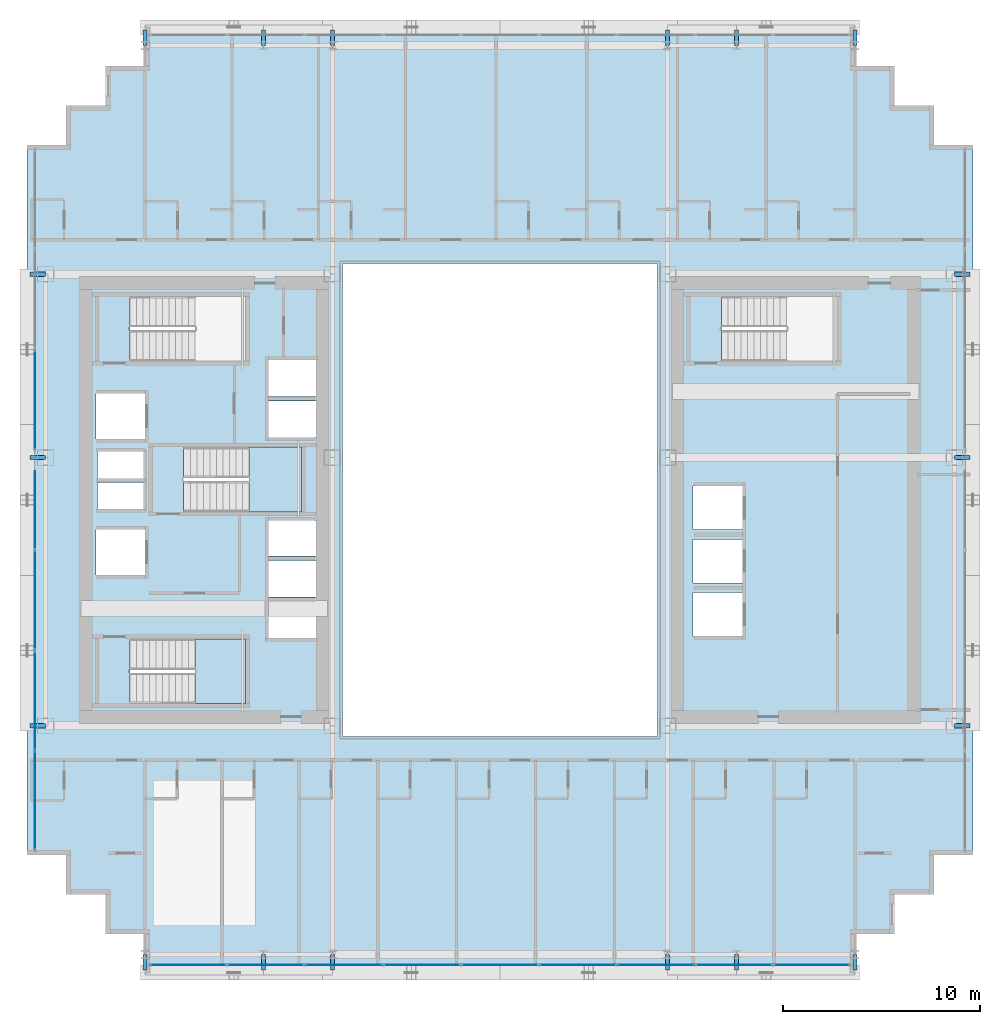
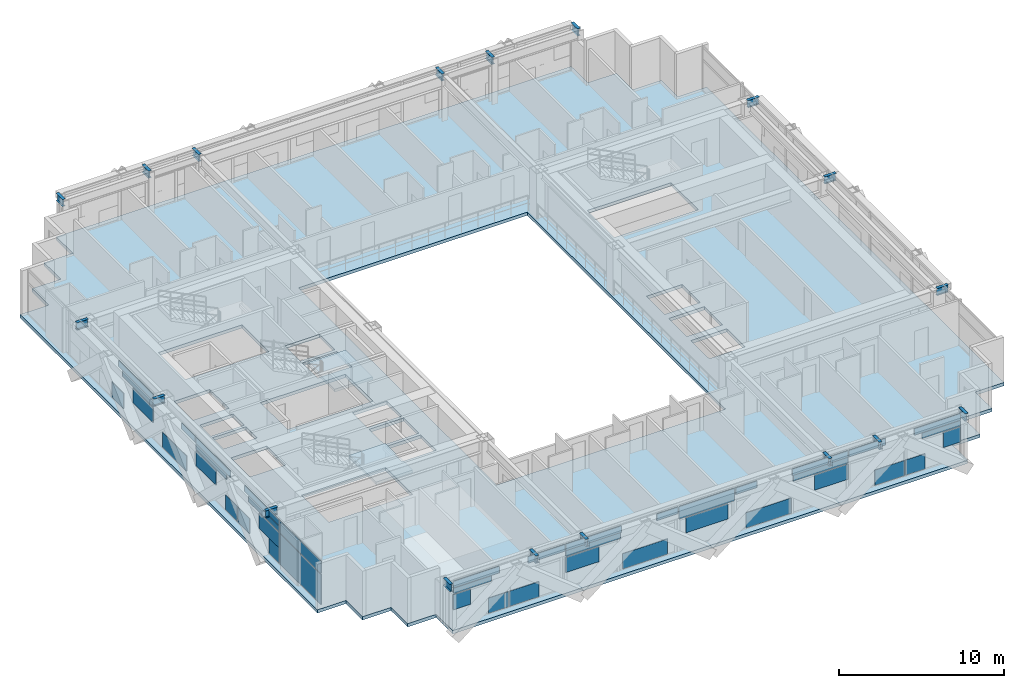
# One storey, part 23 of 36: 41 plates, 18 beams, 3 slabs, 4 elements without a shape of their own.
"""IFC4 building model written with IfcOpenShell, lengths in metres."""

from ifc_helpers import new_model, si_unit, direction, frame, origin, origin_2d, place, context, subcontext, project, spatial, polyline, rectangle, i_section, outline, extrude, source, transform, mapped, material, layer, layer_set, material_profile, profile_set, type_object, element, aggregate, save


model = new_model("IFC4")

# Units and contexts
model_context = context("Model", 3, precision=1e-05, world=origin(), true_north=direction((0.0, 1.0)))
body_context = subcontext(model_context, "Body", "Model", "MODEL_VIEW")
ifc_project = project(units=[si_unit("LENGTHUNIT", "METRE"), si_unit("AREAUNIT", "SQUARE_METRE"), si_unit("VOLUMEUNIT", "CUBIC_METRE"), si_unit("PLANEANGLEUNIT", "RADIAN"), si_unit("MASSUNIT", "GRAM", prefix="KILO")], contexts=[model_context])

# Site, building, storey
site_placement = place(None, origin())
site = spatial("IfcSite", under=ifc_project, at=site_placement, CompositionType="ELEMENT")
building_placement = place(site_placement, origin())
building = spatial("IfcBuilding", under=site, at=building_placement, Name="Ocotamira Hotel", CompositionType="ELEMENT")
storey_placement = place(building_placement, frame((0.0, 0.0, 133.199951171875)))
storey = spatial("IfcBuildingStorey", under=building, at=storey_placement, Name="L33", CompositionType="ELEMENT", Elevation=133.199951171875)

# Beams
ifc_material_1 = material(Name="Steel ASTM A992 Grade 50", Category="steel")
ifc_material_profile = material_profile(ifc_material_1, i_section(OverallWidth=0.2099609375, OverallDepth=0.537109375, WebThickness=0.010986328125, FlangeThickness=0.017333984375, FilletRadius=0.012939453125, at=origin_2d()), Name="W21X68")
ifc_profile_set = profile_set([ifc_material_profile], Name="Steel ASTM A992 Grade 50")
beam_type = type_object("IfcBeamType", Name="BM-SEC-W21X68", PredefinedType="JOIST", material=ifc_profile_set)
shared_shape_1 = source(origin(), body_context, "Body", "SweptSolid", [
    extrude(i_section(OverallWidth=0.2099609375, OverallDepth=0.537109375, WebThickness=0.010986328125, FlangeThickness=0.017333984375, FilletRadius=0.012939453125, at=origin_2d()), origin(), (0.0, 0.0, 1.0), 0.800048828125),
])
for number, where, z_axis, x_axis, name in (
    (1, (14.0, 2.949951171875, 3.091552734375), (0.0, -1.0, 0.0), (1.0, 0.0, 0.0), "L33 South Edge Header X14"),
    (2, (14.0, 49.050048828125, 3.091552734375), (0.0, 1.0, 0.0), (-1.0, 0.0, 0.0), "L33 North Edge Header X14"),
    (3, (20.0, 2.949951171875, 3.091552734375), (0.0, -1.0, 0.0), (1.0, 0.0, 0.0), "L33 South Edge Header X20"),
    (4, (20.0, 49.050048828125, 3.091552734375), (0.0, 1.0, 0.0), (-1.0, 0.0, 0.0), "L33 North Edge Header X20"),
    (5, (23.5, 2.949951171875, 3.091552734375), (0.0, -1.0, 0.0), (1.0, 0.0, 0.0), "L33 South Edge Header X23.5"),
    (6, (23.5, 49.050048828125, 3.091552734375), (0.0, 1.0, 0.0), (-1.0, 0.0, 0.0), "L33 North Edge Header X23.5"),
    (7, (40.5, 2.949951171875, 3.091552734375), (0.0, -1.0, 0.0), (1.0, 0.0, 0.0), "L33 South Edge Header X40.5"),
    (8, (40.5, 49.050048828125, 3.091552734375), (0.0, 1.0, 0.0), (-1.0, 0.0, 0.0), "L33 North Edge Header X40.5"),
    (9, (44.0, 2.949951171875, 3.091552734375), (0.0, -1.0, 0.0), (1.0, 0.0, 0.0), "L33 South Edge Header X44"),
    (10, (44.0, 49.050048828125, 3.091552734375), (0.0, 1.0, 0.0), (-1.0, 0.0, 0.0), "L33 North Edge Header X44"),
    (11, (50.0, 2.949951171875, 3.091552734375), (0.0, -1.0, 0.0), (1.0, 0.0, 0.0), "L33 South Edge Header X50"),
    (12, (50.0, 49.050048828125, 3.091552734375), (0.0, 1.0, 0.0), (-1.0, 0.0, 0.0), "L33 North Edge Header X50"),
    (13, (8.949951171875, 14.550048828125, 3.091552734375), (-1.0, 0.0, 0.0), (0.0, -1.0, 0.0), "L33 West Edge Header Y14.55"),
    (14, (55.050048828125, 14.550048828125, 3.091552734375), (1.0, 0.0, 0.0), (0.0, 1.0, 0.0), "L33 East Edge Header Y14.55"),
    (15, (8.949951171875, 28.14990234375, 3.091552734375), (-1.0, 0.0, 0.0), (0.0, -1.0, 0.0), "L33 West Edge Header Y28.15"),
    (16, (55.050048828125, 28.14990234375, 3.091552734375), (1.0, 0.0, 0.0), (0.0, 1.0, 0.0), "L33 East Edge Header Y28.15"),
    (17, (8.949951171875, 37.449951171875, 3.091552734375), (-1.0, 0.0, 0.0), (0.0, -1.0, 0.0), "L33 West Edge Header Y37.45"),
    (18, (55.050048828125, 37.449951171875, 3.091552734375), (1.0, 0.0, 0.0), (0.0, 1.0, 0.0), "L33 East Edge Header Y37.45"),
):
    element("IfcBeam", number, at=place(storey_placement, frame(where, z_axis=z_axis, x_axis=x_axis)), inside=storey, type_object=beam_type, Name=name, PredefinedType="JOIST", context=body_context, shape_type="MappedRepresentation", body=[
        mapped(shared_shape_1, transform((0.0, 0.0, 0.0), scale=1.0)),
    ])

# Stair, slab
ifc_material_2 = material(Name="Concrete C40/50", Category="concrete")
stair_type = type_object("IfcStairType", Name="ST-CORE-1560", PredefinedType="HALF_TURN_STAIR", material=ifc_material_2)
stair_1_placement = place(storey_placement, origin())
stair_1 = element("IfcStair", 19, at=stair_1_placement, inside=storey, type_object=stair_type, Name="L33 Exit Stair ST-1", PredefinedType="HALF_TURN_STAIR")
ifc_layer_1 = layer(ifc_material_2, 0.199951171875)
ifc_layer_set_1 = layer_set([ifc_layer_1], Name="Concrete C40/50")
slab_type_1 = type_object("IfcSlabType", Name="SLB-LAND-200", PredefinedType="LANDING", material=ifc_layer_set_1)
slab_1_placement = place(storey_placement, frame((0.0, 0.0, 1.60009765625)))
slab_1 = element("IfcSlab", 20, at=slab_1_placement, type_object=slab_type_1, Name="ST-1 landing 1", PredefinedType="LANDING", context=body_context, shape_type="SweptSolid", body=[
    extrude(outline(polyline([(16.530029296875, 15.669921875), (19.090087890625, 15.669921875), (19.090087890625, 18.949951171875), (16.530029296875, 18.949951171875), (16.530029296875, 15.669921875)])), origin(), (0.0, 0.0, 1.0), 0.199951171875),
])
aggregate(stair_1, [slab_1])

stair_2_placement = place(storey_placement, origin())
stair_2 = element("IfcStair", 21, at=stair_2_placement, inside=storey, type_object=stair_type, Name="L33 Exit Stair ST-3", PredefinedType="HALF_TURN_STAIR")
slab_2_placement = place(storey_placement, frame((0.0, 0.0, 1.60009765625)))
slab_2 = element("IfcSlab", 22, at=slab_2_placement, type_object=slab_type_1, Name="ST-3 landing 1", PredefinedType="LANDING", context=body_context, shape_type="SweptSolid", body=[
    extrude(outline(polyline([(19.260009765625, 25.39990234375), (21.919921875, 25.39990234375), (21.919921875, 28.679931640625), (19.260009765625, 28.679931640625), (19.260009765625, 25.39990234375)])), origin(), (0.0, 0.0, 1.0), 0.199951171875),
])
aggregate(stair_2, [slab_2])

# Slab
ifc_layer_2 = layer(ifc_material_2, 0.239990234375)
ifc_layer_set_2 = layer_set([ifc_layer_2], Name="Concrete C40/50")
slab_type_2 = type_object("IfcSlabType", Name="SLB-TYP-240", PredefinedType="FLOOR", material=ifc_layer_set_2)
slab_3_placement = place(storey_placement, frame((0.0, 0.0, -0.239990234375)))
element("IfcSlab", 23, at=slab_3_placement, inside=storey, type_object=slab_type_2, Name="L33 Structural Floor Slab", PredefinedType="FLOOR", context=body_context, shape_type="SweptSolid", body=[
    extrude(outline(polyline([(14.0, 2.0), (50.0, 2.0), (50.0, 4.0), (52.0, 4.0), (52.0, 6.0), (54.0, 6.0), (54.0, 8.0), (56.0, 8.0), (56.0, 44.0), (54.0, 44.0), (54.0, 46.0), (52.0, 46.0), (52.0, 48.0), (50.0, 48.0), (50.0, 50.0), (14.0, 50.0), (14.0, 48.0), (12.0, 48.0), (12.0, 46.0), (10.0, 46.0), (10.0, 44.0), (8.0, 44.0), (8.0, 8.0), (10.0, 8.0), (10.0, 6.0), (12.0, 6.0), (12.0, 4.0), (14.0, 4.0), (14.0, 2.0)]), holes=[polyline([(24.0, 14.0), (40.0, 14.0), (40.0, 38.0), (24.0, 38.0), (24.0, 14.0)]), polyline([(13.22998046875, 15.669921875), (19.090087890625, 15.669921875), (19.090087890625, 18.949951171875), (13.22998046875, 18.949951171875), (13.22998046875, 15.669921875)]), polyline([(13.22998046875, 33.050048828125), (19.090087890625, 33.050048828125), (19.090087890625, 36.330078125), (13.22998046875, 36.330078125), (13.22998046875, 33.050048828125)]), polyline([(15.9599609375, 25.39990234375), (21.919921875, 25.39990234375), (21.919921875, 28.679931640625), (15.9599609375, 28.679931640625), (15.9599609375, 25.39990234375)]), polyline([(43.22998046875, 33.050048828125), (49.090087890625, 33.050048828125), (49.090087890625, 36.330078125), (43.22998046875, 36.330078125), (43.22998046875, 33.050048828125)]), polyline([(41.800048828125, 19.10009765625), (44.300048828125, 19.10009765625), (44.300048828125, 21.300048828125), (41.800048828125, 21.300048828125), (41.800048828125, 19.10009765625)]), polyline([(41.800048828125, 21.800048828125), (44.300048828125, 21.800048828125), (44.300048828125, 24.0), (41.800048828125, 24.0), (41.800048828125, 21.800048828125)]), polyline([(41.800048828125, 24.5), (44.300048828125, 24.5), (44.300048828125, 26.699951171875), (41.800048828125, 26.699951171875), (41.800048828125, 24.5)]), polyline([(20.25, 19.0), (22.659912109375, 19.0), (22.659912109375, 20.85009765625), (20.25, 20.85009765625), (20.25, 19.0)]), polyline([(20.25, 21.080078125), (22.659912109375, 21.080078125), (22.659912109375, 22.929931640625), (20.25, 22.929931640625), (20.25, 21.080078125)]), polyline([(20.25, 23.159912109375), (22.659912109375, 23.159912109375), (22.659912109375, 24.9599609375), (20.25, 24.9599609375), (20.25, 23.159912109375)]), polyline([(20.25, 29.179931640625), (22.659912109375, 29.179931640625), (22.659912109375, 31.030029296875), (20.25, 31.030029296875), (20.25, 29.179931640625)]), polyline([(20.25, 31.260009765625), (22.659912109375, 31.260009765625), (22.659912109375, 33.110107421875), (20.25, 33.110107421875), (20.25, 31.260009765625)]), polyline([(11.5, 22.199951171875), (14.0, 22.199951171875), (14.0, 24.5), (11.5, 24.5), (11.5, 22.199951171875)]), polyline([(11.5, 29.10009765625), (14.0, 29.10009765625), (14.0, 31.39990234375), (11.5, 31.39990234375), (11.5, 29.10009765625)]), polyline([(11.580078125, 25.550048828125), (13.919921875, 25.550048828125), (13.919921875, 26.89990234375), (11.580078125, 26.89990234375), (11.580078125, 25.550048828125)]), polyline([(11.580078125, 27.10009765625), (13.919921875, 27.10009765625), (13.919921875, 28.449951171875), (11.580078125, 28.449951171875), (11.580078125, 27.10009765625)])]), origin(), (0.0, 0.0, 1.0), 0.239990234375),
])

# Curtain wall, plate
ifc_material_3 = material(Name="Anodised pale-metal aluminium and solar glass", Category="aluminium")
ifc_layer_3 = layer(ifc_material_3, 0.179931640625)
ifc_layer_set_3 = layer_set([ifc_layer_3], Name="Anodised pale-metal aluminium and solar glass")
curtain_wall_type = type_object("IfcCurtainWallType", Name="CW-SYS3-Z2", PredefinedType="NOTDEFINED", material=ifc_layer_set_3)
curtain_wall_1_placement = place(storey_placement, origin())
curtain_wall_1 = element("IfcCurtainWall", 24, at=curtain_wall_1_placement, inside=storey, type_object=curtain_wall_type, Name="L33 Curtain Wall CW-3 CW-L33-W", PredefinedType="NOTDEFINED")
ifc_material_4 = material(Name="Double-silver low-E insulated solar glass", Category="glass")
ifc_layer_4 = layer(ifc_material_4, 0.031982421875)
ifc_layer_set_4 = layer_set([ifc_layer_4], Name="Double-silver low-E insulated solar glass")
plate_type = type_object("IfcPlateType", Name="CWP-VISION-32", PredefinedType="CURTAIN_PANEL", material=ifc_layer_set_4)
shared_shape_2 = source(origin(), body_context, "Body", "SweptSolid", [
    extrude(rectangle(XDim=4.9658203125, YDim=0.031982421875, at=origin_2d()), origin(), (0.0, 0.0, 1.0), 2.237548828125),
])
plate_1_placement = place(storey_placement, frame((8.419921875, 10.762939453125, 0.0751953125), z_axis=(0.0, 0.0, 1.0), x_axis=(0.0, 1.0, 0.0)))
plate_1 = element("IfcPlate", 25, at=plate_1_placement, type_object=plate_type, Name="CW-3 panel 1.1", PredefinedType="CURTAIN_PANEL", context=body_context, shape_type="MappedRepresentation", body=[
    mapped(shared_shape_2, transform((0.0, 0.0, 0.0), scale=1.0)),
])

# Curtain wall, plates
curtain_wall_2_placement = place(storey_placement, origin())
curtain_wall_2 = element("IfcCurtainWall", 26, at=curtain_wall_2_placement, inside=storey, type_object=curtain_wall_type, Name="L33 Curtain Wall CW-3 CW-L33-S1", PredefinedType="NOTDEFINED")
shared_shape_3 = source(origin(), body_context, "Body", "SweptSolid", [
    extrude(rectangle(XDim=2.676513671875, YDim=0.031982421875, at=origin_2d()), origin(), (0.0, 0.0, 1.0), 0.39453125),
])
plate_2_placement = place(storey_placement, frame((15.618408203125, 2.419921875, 2.3876953125), z_axis=(0.0, 0.0, 1.0), x_axis=(1.0, 0.0, 0.0)))
plate_2 = element("IfcPlate", 27, at=plate_2_placement, type_object=plate_type, Name="CW-3 panel 1.2.1", PredefinedType="CURTAIN_PANEL", context=body_context, shape_type="MappedRepresentation", body=[
    mapped(shared_shape_3, transform((0.0, 0.0, 0.0), scale=1.0)),
])
plate_3_placement = place(storey_placement, frame((48.381591796875, 2.419921875, 2.3876953125), z_axis=(0.0, 0.0, 1.0), x_axis=(1.0, 0.0, 0.0)))
plate_3 = element("IfcPlate", 28, at=plate_3_placement, type_object=plate_type, Name="CW-3 panel 9.2.2", PredefinedType="CURTAIN_PANEL", context=body_context, shape_type="MappedRepresentation", body=[
    mapped(shared_shape_3, transform((0.0, 0.0, 0.0), scale=1.0)),
])
shared_shape_4 = source(origin(), body_context, "Body", "SweptSolid", [
    extrude(rectangle(XDim=3.208740234375, YDim=0.031982421875, at=origin_2d()), origin(), (0.0, 0.0, 1.0), 0.4716796875),
])
plate_4_placement = place(storey_placement, frame((15.884521484375, 2.419921875, 2.813232421875), z_axis=(0.0, 0.0, 1.0), x_axis=(1.0, 0.0, 0.0)))
plate_4 = element("IfcPlate", 29, at=plate_4_placement, type_object=plate_type, Name="CW-3 panel 1.2.2", PredefinedType="CURTAIN_PANEL", context=body_context, shape_type="MappedRepresentation", body=[
    mapped(shared_shape_4, transform((0.0, 0.0, 0.0), scale=1.0)),
])
plate_5_placement = place(storey_placement, frame((48.115478515625, 2.419921875, 2.813232421875), z_axis=(0.0, 0.0, 1.0), x_axis=(1.0, 0.0, 0.0)))
plate_5 = element("IfcPlate", 30, at=plate_5_placement, type_object=plate_type, Name="CW-3 panel 9.2.1", PredefinedType="CURTAIN_PANEL", context=body_context, shape_type="MappedRepresentation", body=[
    mapped(shared_shape_4, transform((0.0, 0.0, 0.0), scale=1.0)),
])
shared_shape_5 = source(origin(), body_context, "Body", "SweptSolid", [
    extrude(rectangle(XDim=2.559814453125, YDim=0.031982421875, at=origin_2d()), origin(), (0.0, 0.0, 1.0), 0.4716796875),
])
plate_6_placement = place(storey_placement, frame((20.791259765625, 2.419921875, 2.813232421875), z_axis=(0.0, 0.0, 1.0), x_axis=(1.0, 0.0, 0.0)))
plate_6 = element("IfcPlate", 31, at=plate_6_placement, type_object=plate_type, Name="CW-3 panel 2.2.1", PredefinedType="CURTAIN_PANEL", context=body_context, shape_type="MappedRepresentation", body=[
    mapped(shared_shape_5, transform((0.0, 0.0, 0.0), scale=1.0)),
])
plate_7_placement = place(storey_placement, frame((43.208740234375, 2.419921875, 2.813232421875), z_axis=(0.0, 0.0, 1.0), x_axis=(1.0, 0.0, 0.0)))
plate_7 = element("IfcPlate", 32, at=plate_7_placement, type_object=plate_type, Name="CW-3 panel 8.2.1", PredefinedType="CURTAIN_PANEL", context=body_context, shape_type="MappedRepresentation", body=[
    mapped(shared_shape_5, transform((0.0, 0.0, 0.0), scale=1.0)),
])
shared_shape_6 = source(origin(), body_context, "Body", "SweptSolid", [
    extrude(rectangle(XDim=3.805419921875, YDim=0.031982421875, at=origin_2d()), origin(), (0.0, 0.0, 1.0), 0.42578125),
])
plate_8_placement = place(storey_placement, frame((24.0537109375, 2.419921875, 2.387451171875), z_axis=(0.0, 0.0, 1.0), x_axis=(1.0, 0.0, 0.0)))
plate_8 = element("IfcPlate", 33, at=plate_8_placement, type_object=plate_type, Name="CW-3 panel 3.2.1", PredefinedType="CURTAIN_PANEL", context=body_context, shape_type="MappedRepresentation", body=[
    mapped(shared_shape_6, transform((0.0, 0.0, 0.0), scale=1.0)),
])
plate_9_placement = place(storey_placement, frame((39.9462890625, 2.419921875, 2.387451171875), z_axis=(0.0, 0.0, 1.0), x_axis=(1.0, 0.0, 0.0)))
plate_9 = element("IfcPlate", 34, at=plate_9_placement, type_object=plate_type, Name="CW-3 panel 7.2.2", PredefinedType="CURTAIN_PANEL", context=body_context, shape_type="MappedRepresentation", body=[
    mapped(shared_shape_6, transform((0.0, 0.0, 0.0), scale=1.0)),
])
shared_shape_7 = source(origin(), body_context, "Body", "SweptSolid", [
    extrude(rectangle(XDim=3.87548828125, YDim=0.031982421875, at=origin_2d()), origin(), (0.0, 0.0, 1.0), 0.4716796875),
])
plate_10_placement = place(storey_placement, frame((24.0888671875, 2.419921875, 2.813232421875), z_axis=(0.0, 0.0, 1.0), x_axis=(1.0, 0.0, 0.0)))
plate_10 = element("IfcPlate", 35, at=plate_10_placement, type_object=plate_type, Name="CW-3 panel 3.2.2", PredefinedType="CURTAIN_PANEL", context=body_context, shape_type="MappedRepresentation", body=[
    mapped(shared_shape_7, transform((0.0, 0.0, 0.0), scale=1.0)),
])
plate_11_placement = place(storey_placement, frame((39.9111328125, 2.419921875, 2.813232421875), z_axis=(0.0, 0.0, 1.0), x_axis=(1.0, 0.0, 0.0)))
plate_11 = element("IfcPlate", 36, at=plate_11_placement, type_object=plate_type, Name="CW-3 panel 7.2.1", PredefinedType="CURTAIN_PANEL", context=body_context, shape_type="MappedRepresentation", body=[
    mapped(shared_shape_7, transform((0.0, 0.0, 0.0), scale=1.0)),
])
shared_shape_8 = source(origin(), body_context, "Body", "SweptSolid", [
    extrude(rectangle(XDim=1.470947265625, YDim=0.031982421875, at=origin_2d()), origin(), (0.0, 0.0, 1.0), 0.4716796875),
])
plate_12_placement = place(storey_placement, frame((29.24658203125, 2.419921875, 2.813232421875), z_axis=(0.0, 0.0, 1.0), x_axis=(1.0, 0.0, 0.0)))
plate_12 = element("IfcPlate", 37, at=plate_12_placement, type_object=plate_type, Name="CW-3 panel 4.2.1", PredefinedType="CURTAIN_PANEL", context=body_context, shape_type="MappedRepresentation", body=[
    mapped(shared_shape_8, transform((0.0, 0.0, 0.0), scale=1.0)),
])
plate_13_placement = place(storey_placement, frame((34.75341796875, 2.419921875, 2.813232421875), z_axis=(0.0, 0.0, 1.0), x_axis=(1.0, 0.0, 0.0)))
plate_13 = element("IfcPlate", 38, at=plate_13_placement, type_object=plate_type, Name="CW-3 panel 6.2.1", PredefinedType="CURTAIN_PANEL", context=body_context, shape_type="MappedRepresentation", body=[
    mapped(shared_shape_8, transform((0.0, 0.0, 0.0), scale=1.0)),
])
shared_shape_9 = source(origin(), body_context, "Body", "SweptSolid", [
    extrude(rectangle(XDim=3.87548828125, YDim=0.031982421875, at=origin_2d()), origin(), (0.0, 0.0, 1.0), 0.8974609375),
])
plate_14_placement = place(storey_placement, frame((32.0, 2.419921875, 2.387451171875), z_axis=(0.0, 0.0, 1.0), x_axis=(1.0, 0.0, 0.0)))
plate_14 = element("IfcPlate", 39, at=plate_14_placement, type_object=plate_type, Name="CW-3 panel 5.2", PredefinedType="CURTAIN_PANEL", context=body_context, shape_type="MappedRepresentation", body=[
    mapped(shared_shape_9, transform((0.0, 0.0, 0.0), scale=1.0)),
])

# Plate
shared_shape_10 = source(origin(), body_context, "Body", "SweptSolid", [
    extrude(rectangle(XDim=4.9658203125, YDim=0.031982421875, at=origin_2d()), origin(), (0.0, 0.0, 1.0), 0.8974609375),
])
plate_15_placement = place(storey_placement, frame((8.419921875, 10.762939453125, 2.387451171875), z_axis=(0.0, 0.0, 1.0), x_axis=(0.0, 1.0, 0.0)))
plate_15 = element("IfcPlate", 40, at=plate_15_placement, type_object=plate_type, Name="CW-3 panel 1.2", PredefinedType="CURTAIN_PANEL", context=body_context, shape_type="MappedRepresentation", body=[
    mapped(shared_shape_10, transform((0.0, 0.0, 0.0), scale=1.0)),
])

shared_shape_11 = source(origin(), body_context, "Body", "SweptSolid", [
    extrude(rectangle(XDim=3.69189453125, YDim=0.031982421875, at=origin_2d()), origin(), (0.0, 0.0, 1.0), 0.414306640625),
])
plate_16_placement = place(storey_placement, frame((8.419921875, 15.171630859375, 2.3876953125), z_axis=(0.0, 0.0, 1.0), x_axis=(0.0, 1.0, 0.0)))
plate_16 = element("IfcPlate", 41, at=plate_16_placement, type_object=plate_type, Name="CW-3 panel 2.2.1", PredefinedType="CURTAIN_PANEL", context=body_context, shape_type="MappedRepresentation", body=[
    mapped(shared_shape_11, transform((0.0, 0.0, 0.0), scale=1.0)),
])

shared_shape_12 = source(origin(), body_context, "Body", "SweptSolid", [
    extrude(rectangle(XDim=4.16748046875, YDim=0.031982421875, at=origin_2d()), origin(), (0.0, 0.0, 1.0), 0.44873046875),
])
plate_17_placement = place(storey_placement, frame((8.419921875, 15.409423828125, 2.836181640625), z_axis=(0.0, 0.0, 1.0), x_axis=(0.0, 1.0, 0.0)))
plate_17 = element("IfcPlate", 42, at=plate_17_placement, type_object=plate_type, Name="CW-3 panel 2.2.2", PredefinedType="CURTAIN_PANEL", context=body_context, shape_type="MappedRepresentation", body=[
    mapped(shared_shape_12, transform((0.0, 0.0, 0.0), scale=1.0)),
])

shared_shape_13 = source(origin(), body_context, "Body", "SweptSolid", [
    extrude(rectangle(XDim=4.17724609375, YDim=0.031982421875, at=origin_2d()), origin(), (0.0, 0.0, 1.0), 0.44873046875),
])
plate_18_placement = place(storey_placement, frame((8.419921875, 21.32861328125, 2.836181640625), z_axis=(0.0, 0.0, 1.0), x_axis=(0.0, 1.0, 0.0)))
plate_18 = element("IfcPlate", 43, at=plate_18_placement, type_object=plate_type, Name="CW-3 panel 3.2.1", PredefinedType="CURTAIN_PANEL", context=body_context, shape_type="MappedRepresentation", body=[
    mapped(shared_shape_13, transform((0.0, 0.0, 0.0), scale=1.0)),
])

plate_19_placement = place(storey_placement, frame((8.419921875, 30.67138671875, 2.836181640625), z_axis=(0.0, 0.0, 1.0), x_axis=(0.0, 1.0, 0.0)))
plate_19 = element("IfcPlate", 44, at=plate_19_placement, type_object=plate_type, Name="CW-3 panel 5.2.2", PredefinedType="CURTAIN_PANEL", context=body_context, shape_type="MappedRepresentation", body=[
    mapped(shared_shape_13, transform((0.0, 0.0, 0.0), scale=1.0)),
])

shared_shape_14 = source(origin(), body_context, "Body", "SweptSolid", [
    extrude(rectangle(XDim=3.70166015625, YDim=0.031982421875, at=origin_2d()), origin(), (0.0, 0.0, 1.0), 0.414306640625),
])
plate_20_placement = place(storey_placement, frame((8.419921875, 21.56640625, 2.3876953125), z_axis=(0.0, 0.0, 1.0), x_axis=(0.0, 1.0, 0.0)))
plate_20 = element("IfcPlate", 45, at=plate_20_placement, type_object=plate_type, Name="CW-3 panel 3.2.2", PredefinedType="CURTAIN_PANEL", context=body_context, shape_type="MappedRepresentation", body=[
    mapped(shared_shape_14, transform((0.0, 0.0, 0.0), scale=1.0)),
])

plate_21_placement = place(storey_placement, frame((8.419921875, 30.43359375, 2.3876953125), z_axis=(0.0, 0.0, 1.0), x_axis=(0.0, 1.0, 0.0)))
plate_21 = element("IfcPlate", 46, at=plate_21_placement, type_object=plate_type, Name="CW-3 panel 5.2.1", PredefinedType="CURTAIN_PANEL", context=body_context, shape_type="MappedRepresentation", body=[
    mapped(shared_shape_14, transform((0.0, 0.0, 0.0), scale=1.0)),
])

shared_shape_15 = source(origin(), body_context, "Body", "SweptSolid", [
    extrude(rectangle(XDim=1.629638671875, YDim=0.031982421875, at=origin_2d()), origin(), (0.0, 0.0, 1.0), 0.44873046875),
])
plate_22_placement = place(storey_placement, frame((8.419921875, 24.31201171875, 2.836181640625), z_axis=(0.0, 0.0, 1.0), x_axis=(0.0, 1.0, 0.0)))
plate_22 = element("IfcPlate", 47, at=plate_22_placement, type_object=plate_type, Name="CW-3 panel 4.2.1", PredefinedType="CURTAIN_PANEL", context=body_context, shape_type="MappedRepresentation", body=[
    mapped(shared_shape_15, transform((0.0, 0.0, 0.0), scale=1.0)),
])

shared_shape_16 = source(origin(), body_context, "Body", "SweptSolid", [
    extrude(rectangle(XDim=2.404296875, YDim=0.031982421875, at=origin_2d()), origin(), (0.0, 0.0, 1.0), 1.11865234375),
])
plate_23_placement = place(storey_placement, frame((8.419921875, 22.183349609375, 1.19384765625), z_axis=(0.0, 0.0, 1.0), x_axis=(0.0, 1.0, 0.0)))
plate_23 = element("IfcPlate", 48, at=plate_23_placement, type_object=plate_type, Name="CW-3 panel 3.1.2", PredefinedType="CURTAIN_PANEL", context=body_context, shape_type="MappedRepresentation", body=[
    mapped(shared_shape_16, transform((0.0, 0.0, 0.0), scale=1.0)),
])

plate_24_placement = place(storey_placement, frame((8.419921875, 29.816650390625, 1.19384765625), z_axis=(0.0, 0.0, 1.0), x_axis=(0.0, 1.0, 0.0)))
plate_24 = element("IfcPlate", 49, at=plate_24_placement, type_object=plate_type, Name="CW-3 panel 5.1.1", PredefinedType="CURTAIN_PANEL", context=body_context, shape_type="MappedRepresentation", body=[
    mapped(shared_shape_16, transform((0.0, 0.0, 0.0), scale=1.0)),
])

shared_shape_17 = source(origin(), body_context, "Body", "SweptSolid", [
    extrude(rectangle(XDim=1.37060546875, YDim=0.031982421875, at=origin_2d()), origin(), (0.0, 0.0, 1.0), 1.118896484375),
])
plate_25_placement = place(storey_placement, frame((17.430419921875, 2.419921875, 0.0751953125), z_axis=(0.0, 0.0, 1.0), x_axis=(1.0, 0.0, 0.0)))
plate_25 = element("IfcPlate", 50, at=plate_25_placement, type_object=plate_type, Name="CW-3 panel 1.1.2", PredefinedType="CURTAIN_PANEL", context=body_context, shape_type="MappedRepresentation", body=[
    mapped(shared_shape_17, transform((0.0, 0.0, 0.0), scale=1.0)),
])

plate_26_placement = place(storey_placement, frame((46.569580078125, 2.419921875, 0.0751953125), z_axis=(0.0, 0.0, 1.0), x_axis=(1.0, 0.0, 0.0)))
plate_26 = element("IfcPlate", 51, at=plate_26_placement, type_object=plate_type, Name="CW-3 panel 9.1.1", PredefinedType="CURTAIN_PANEL", context=body_context, shape_type="MappedRepresentation", body=[
    mapped(shared_shape_17, transform((0.0, 0.0, 0.0), scale=1.0)),
])

shared_shape_18 = source(origin(), body_context, "Body", "SweptSolid", [
    extrude(rectangle(XDim=2.059326171875, YDim=0.031982421875, at=origin_2d()), origin(), (0.0, 0.0, 1.0), 1.118896484375),
])
plate_27_placement = place(storey_placement, frame((19.225341796875, 2.419921875, 0.0751953125), z_axis=(0.0, 0.0, 1.0), x_axis=(1.0, 0.0, 0.0)))
plate_27 = element("IfcPlate", 52, at=plate_27_placement, type_object=plate_type, Name="CW-3 panel 2.1.1", PredefinedType="CURTAIN_PANEL", context=body_context, shape_type="MappedRepresentation", body=[
    mapped(shared_shape_18, transform((0.0, 0.0, 0.0), scale=1.0)),
])

plate_28_placement = place(storey_placement, frame((44.774658203125, 2.419921875, 0.0751953125), z_axis=(0.0, 0.0, 1.0), x_axis=(1.0, 0.0, 0.0)))
plate_28 = element("IfcPlate", 53, at=plate_28_placement, type_object=plate_type, Name="CW-3 panel 8.1.1", PredefinedType="CURTAIN_PANEL", context=body_context, shape_type="MappedRepresentation", body=[
    mapped(shared_shape_18, transform((0.0, 0.0, 0.0), scale=1.0)),
])

shared_shape_19 = source(origin(), body_context, "Body", "SweptSolid", [
    extrude(rectangle(XDim=3.148193359375, YDim=0.031982421875, at=origin_2d()), origin(), (0.0, 0.0, 1.0), 1.118896484375),
])
plate_29_placement = place(storey_placement, frame((27.680908203125, 2.419921875, 0.0751953125), z_axis=(0.0, 0.0, 1.0), x_axis=(1.0, 0.0, 0.0)))
plate_29 = element("IfcPlate", 54, at=plate_29_placement, type_object=plate_type, Name="CW-3 panel 4.1.1", PredefinedType="CURTAIN_PANEL", context=body_context, shape_type="MappedRepresentation", body=[
    mapped(shared_shape_19, transform((0.0, 0.0, 0.0), scale=1.0)),
])

plate_30_placement = place(storey_placement, frame((36.319091796875, 2.419921875, 0.0751953125), z_axis=(0.0, 0.0, 1.0), x_axis=(1.0, 0.0, 0.0)))
plate_30 = element("IfcPlate", 55, at=plate_30_placement, type_object=plate_type, Name="CW-3 panel 6.1.1", PredefinedType="CURTAIN_PANEL", context=body_context, shape_type="MappedRepresentation", body=[
    mapped(shared_shape_19, transform((0.0, 0.0, 0.0), scale=1.0)),
])

shared_shape_20 = source(origin(), body_context, "Body", "SweptSolid", [
    extrude(rectangle(XDim=1.240234375, YDim=0.031982421875, at=origin_2d()), origin(), (0.0, 0.0, 1.0), 1.118896484375),
])
plate_31_placement = place(storey_placement, frame((8.419921875, 13.94580078125, 0.0751953125), z_axis=(0.0, 0.0, 1.0), x_axis=(0.0, 1.0, 0.0)))
plate_31 = element("IfcPlate", 56, at=plate_31_placement, type_object=plate_type, Name="CW-3 panel 2.1.1", PredefinedType="CURTAIN_PANEL", context=body_context, shape_type="MappedRepresentation", body=[
    mapped(shared_shape_20, transform((0.0, 0.0, 0.0), scale=1.0)),
])

shared_shape_21 = source(origin(), body_context, "Body", "SweptSolid", [
    extrude(rectangle(XDim=1.413330078125, YDim=0.031982421875, at=origin_2d()), origin(), (0.0, 0.0, 1.0), 1.118896484375),
])
plate_32_placement = place(storey_placement, frame((8.419921875, 17.624755859375, 0.0751953125), z_axis=(0.0, 0.0, 1.0), x_axis=(0.0, 1.0, 0.0)))
plate_32 = element("IfcPlate", 57, at=plate_32_placement, type_object=plate_type, Name="CW-3 panel 2.1.3", PredefinedType="CURTAIN_PANEL", context=body_context, shape_type="MappedRepresentation", body=[
    mapped(shared_shape_21, transform((0.0, 0.0, 0.0), scale=1.0)),
])

shared_shape_22 = source(origin(), body_context, "Body", "SweptSolid", [
    extrude(rectangle(XDim=1.40380859375, YDim=0.031982421875, at=origin_2d()), origin(), (0.0, 0.0, 1.0), 1.118896484375),
])
plate_33_placement = place(storey_placement, frame((8.419921875, 19.11328125, 0.0751953125), z_axis=(0.0, 0.0, 1.0), x_axis=(0.0, 1.0, 0.0)))
plate_33 = element("IfcPlate", 58, at=plate_33_placement, type_object=plate_type, Name="CW-3 panel 3.1.1", PredefinedType="CURTAIN_PANEL", context=body_context, shape_type="MappedRepresentation", body=[
    mapped(shared_shape_22, transform((0.0, 0.0, 0.0), scale=1.0)),
])

plate_34_placement = place(storey_placement, frame((8.419921875, 32.88671875, 0.0751953125), z_axis=(0.0, 0.0, 1.0), x_axis=(0.0, 1.0, 0.0)))
plate_34 = element("IfcPlate", 59, at=plate_34_placement, type_object=plate_type, Name="CW-3 panel 5.1.2", PredefinedType="CURTAIN_PANEL", context=body_context, shape_type="MappedRepresentation", body=[
    mapped(shared_shape_22, transform((0.0, 0.0, 0.0), scale=1.0)),
])

shared_shape_23 = source(origin(), body_context, "Body", "SweptSolid", [
    extrude(rectangle(XDim=2.897216796875, YDim=0.031982421875, at=origin_2d()), origin(), (0.0, 0.0, 1.0), 1.118896484375),
])
plate_35_placement = place(storey_placement, frame((8.419921875, 26.0, 0.0751953125), z_axis=(0.0, 0.0, 1.0), x_axis=(0.0, 1.0, 0.0)))
plate_35 = element("IfcPlate", 60, at=plate_35_placement, type_object=plate_type, Name="CW-3 panel 4.1.1", PredefinedType="CURTAIN_PANEL", context=body_context, shape_type="MappedRepresentation", body=[
    mapped(shared_shape_23, transform((0.0, 0.0, 0.0), scale=1.0)),
])

shared_shape_24 = source(origin(), body_context, "Body", "SweptSolid", [
    extrude(rectangle(XDim=1.184326171875, YDim=0.031982421875, at=origin_2d()), origin(), (0.0, 0.0, 1.0), 1.11865234375),
])
plate_36_placement = place(storey_placement, frame((14.872314453125, 2.419921875, 1.19384765625), z_axis=(0.0, 0.0, 1.0), x_axis=(1.0, 0.0, 0.0)))
plate_36 = element("IfcPlate", 61, at=plate_36_placement, type_object=plate_type, Name="CW-3 panel 1.1.1", PredefinedType="CURTAIN_PANEL", context=body_context, shape_type="MappedRepresentation", body=[
    mapped(shared_shape_24, transform((0.0, 0.0, 0.0), scale=1.0)),
])

plate_37_placement = place(storey_placement, frame((49.127685546875, 2.419921875, 1.19384765625), z_axis=(0.0, 0.0, 1.0), x_axis=(1.0, 0.0, 0.0)))
plate_37 = element("IfcPlate", 62, at=plate_37_placement, type_object=plate_type, Name="CW-3 panel 9.1.2", PredefinedType="CURTAIN_PANEL", context=body_context, shape_type="MappedRepresentation", body=[
    mapped(shared_shape_24, transform((0.0, 0.0, 0.0), scale=1.0)),
])

shared_shape_25 = source(origin(), body_context, "Body", "SweptSolid", [
    extrude(rectangle(XDim=2.313232421875, YDim=0.031982421875, at=origin_2d()), origin(), (0.0, 0.0, 1.0), 1.11865234375),
])
plate_38_placement = place(storey_placement, frame((23.3076171875, 2.419921875, 1.19384765625), z_axis=(0.0, 0.0, 1.0), x_axis=(1.0, 0.0, 0.0)))
plate_38 = element("IfcPlate", 63, at=plate_38_placement, type_object=plate_type, Name="CW-3 panel 3.1.1", PredefinedType="CURTAIN_PANEL", context=body_context, shape_type="MappedRepresentation", body=[
    mapped(shared_shape_25, transform((0.0, 0.0, 0.0), scale=1.0)),
])

plate_39_placement = place(storey_placement, frame((40.6923828125, 2.419921875, 1.19384765625), z_axis=(0.0, 0.0, 1.0), x_axis=(1.0, 0.0, 0.0)))
plate_39 = element("IfcPlate", 64, at=plate_39_placement, type_object=plate_type, Name="CW-3 panel 7.1.1", PredefinedType="CURTAIN_PANEL", context=body_context, shape_type="MappedRepresentation", body=[
    mapped(shared_shape_25, transform((0.0, 0.0, 0.0), scale=1.0)),
])

shared_shape_26 = source(origin(), body_context, "Body", "SweptSolid", [
    extrude(rectangle(XDim=2.9287109375, YDim=0.031982421875, at=origin_2d()), origin(), (0.0, 0.0, 1.0), 1.11865234375),
])
plate_40_placement = place(storey_placement, frame((32.0, 2.419921875, 1.19384765625), z_axis=(0.0, 0.0, 1.0), x_axis=(1.0, 0.0, 0.0)))
plate_40 = element("IfcPlate", 65, at=plate_40_placement, type_object=plate_type, Name="CW-3 panel 5.1.1", PredefinedType="CURTAIN_PANEL", context=body_context, shape_type="MappedRepresentation", body=[
    mapped(shared_shape_26, transform((0.0, 0.0, 0.0), scale=1.0)),
])

aggregate(curtain_wall_2, [plate_36, plate_25, plate_2, plate_4, plate_27, plate_6, plate_38, plate_8, plate_10, plate_29, plate_12, plate_40, plate_14, plate_30, plate_13, plate_39, plate_11, plate_9, plate_28, plate_7, plate_26, plate_37, plate_5, plate_3])

shared_shape_27 = source(origin(), body_context, "Body", "SweptSolid", [
    extrude(rectangle(XDim=2.426513671875, YDim=0.031982421875, at=origin_2d()), origin(), (0.0, 0.0, 1.0), 1.11865234375),
])
plate_41_placement = place(storey_placement, frame((8.419921875, 14.538818359375, 1.19384765625), z_axis=(0.0, 0.0, 1.0), x_axis=(0.0, 1.0, 0.0)))
plate_41 = element("IfcPlate", 66, at=plate_41_placement, type_object=plate_type, Name="CW-3 panel 2.1.2", PredefinedType="CURTAIN_PANEL", context=body_context, shape_type="MappedRepresentation", body=[
    mapped(shared_shape_27, transform((0.0, 0.0, 0.0), scale=1.0)),
])

aggregate(curtain_wall_1, [plate_1, plate_15, plate_31, plate_41, plate_32, plate_16, plate_17, plate_33, plate_23, plate_18, plate_20, plate_35, plate_22, plate_24, plate_34, plate_21, plate_19])

save(model, "model.ifc")
